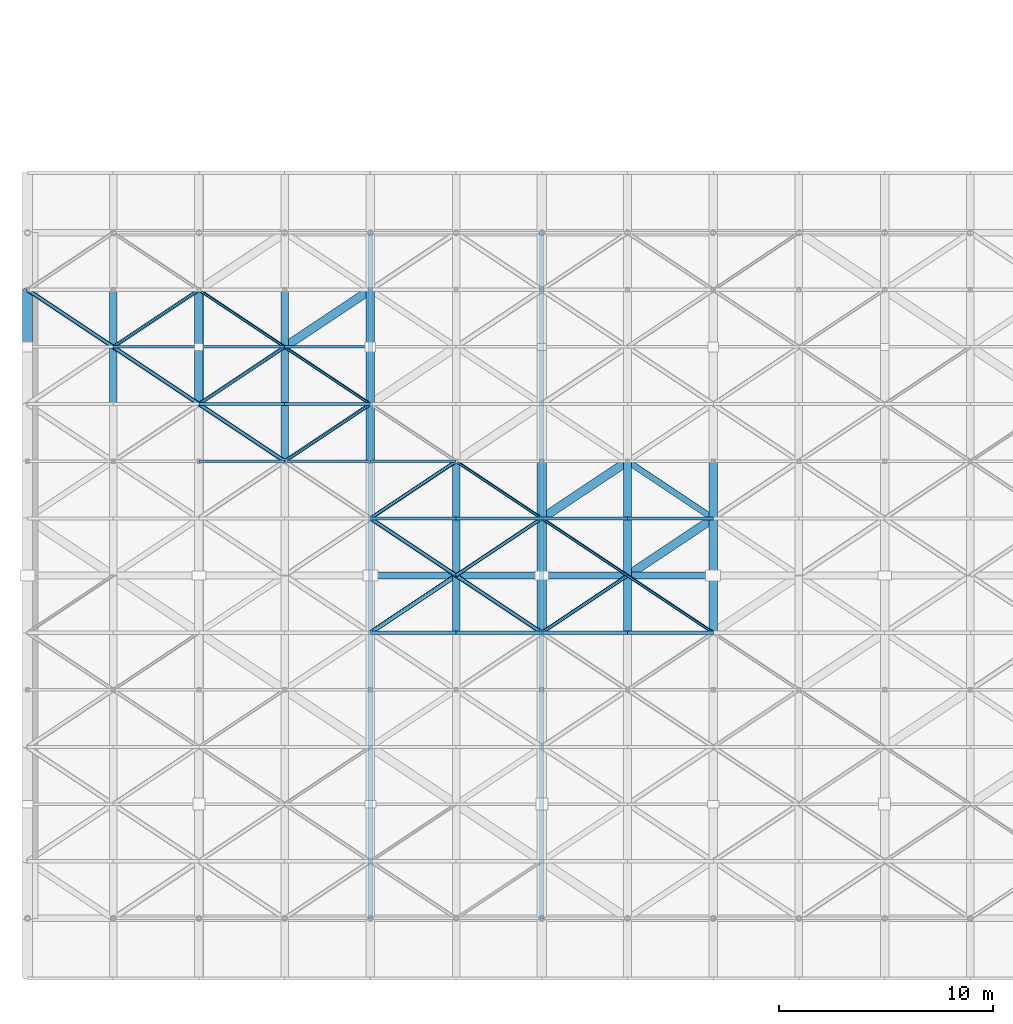
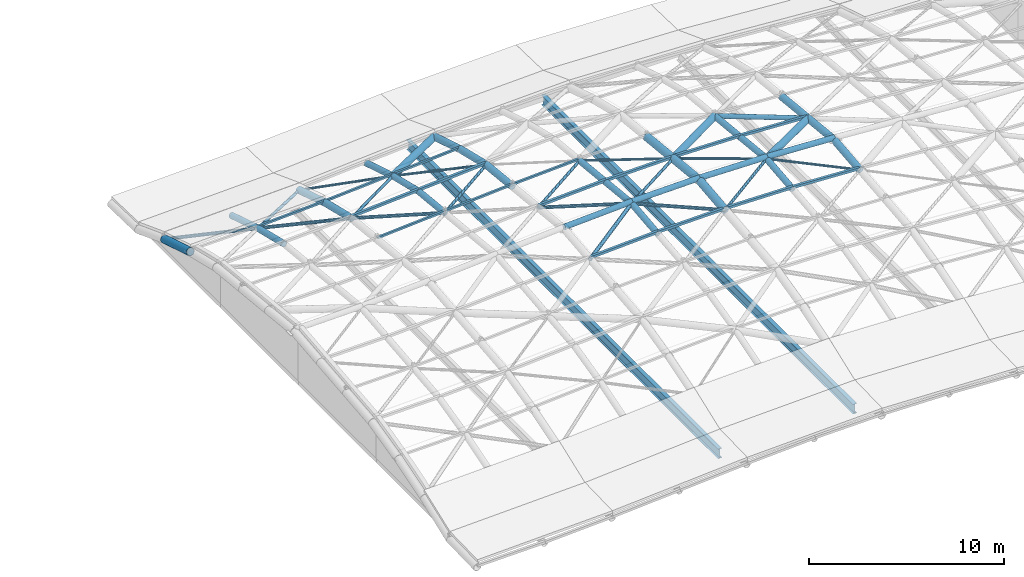
# One storey, part 4 of 20: 41 members, 25 beams.
"""IFC4 building model written with IfcOpenShell, lengths in metres."""

from ifc_helpers import new_model, si_unit, direction, frame, origin, origin_2d, place, context, subcontext, project, spatial, hollow_rectangle, hollow_circle, i_section, extrude, material, material_profile, profile_set, type_object, element, save


model = new_model("IFC4")

# Units and contexts
model_context = context("Model", 3, precision=1e-05, world=origin(), true_north=direction((0.0, 1.0)))
body_context = subcontext(model_context, "Body", "Model", "MODEL_VIEW")
ifc_project = project(units=[si_unit("LENGTHUNIT", "METRE"), si_unit("AREAUNIT", "SQUARE_METRE"), si_unit("VOLUMEUNIT", "CUBIC_METRE"), si_unit("PLANEANGLEUNIT", "RADIAN"), si_unit("MASSUNIT", "GRAM", prefix="KILO")], contexts=[model_context])

# Site, building, storey
site_placement = place(None, origin())
site = spatial("IfcSite", under=ifc_project, at=site_placement, CompositionType="ELEMENT")
building_placement = place(site_placement, origin())
building = spatial("IfcBuilding", under=site, at=building_placement, Name="Tenunan Teduh Sports Hall", CompositionType="ELEMENT")
storey_placement = place(building_placement, frame((0.0, 0.0, 23.39990234375)))
storey = spatial("IfcBuildingStorey", under=building, at=storey_placement, Name="RF", CompositionType="ELEMENT", Elevation=23.39990234375)

# Beams
ifc_material_1 = material(Name="Steel S355", Category="steel")
ifc_material_profile_1 = material_profile(ifc_material_1, hollow_circle(Radius=0.177734375, WallThickness=0.012451171875, at=origin_2d()), Name="CHS 355.6x12.5")
ifc_profile_set_1 = profile_set([ifc_material_profile_1], Name="Steel S355")
beam_type_1 = type_object("IfcBeamType", Name="GSB-CHS356", PredefinedType="BEAM", material=ifc_profile_set_1)
beam_1_placement = place(storey_placement, frame((10.0, 38.0, 2.1708984375), z_axis=(0.0, 0.972012875749, -0.234927583263), x_axis=(-1.0, 0.0, 0.0)))
element("IfcBeam", 1, at=beam_1_placement, inside=storey, type_object=beam_type_1, Name="Gridshell Vault Arch BM-GR-04-RF-0291", PredefinedType="BEAM", context=body_context, shape_type="SweptSolid", body=[
    extrude(hollow_circle(Radius=0.177734375, WallThickness=0.012451171875, at=origin_2d()), origin(), (0.0, 0.0, 1.0), 2.74365234375),
])
beam_2_placement = place(storey_placement, frame((10.0, 40.666748046875, 1.5263671875), z_axis=(0.0, 0.955399948598, -0.295314981365), x_axis=(-1.0, 0.0, 0.0)))
element("IfcBeam", 2, at=beam_2_placement, inside=storey, type_object=beam_type_1, Name="Gridshell Vault Arch BM-GR-04-RF-0292", PredefinedType="BEAM", context=body_context, shape_type="SweptSolid", body=[
    extrude(hollow_circle(Radius=0.177734375, WallThickness=0.012451171875, at=origin_2d()), origin(), (0.0, 0.0, 1.0), 2.791015625),
])
beam_3_placement = place(storey_placement, frame((18.0, 35.333251953125, 2.9208984375), z_axis=(0.0, 0.994784282387, -0.102001134878), x_axis=(-1.0, 0.0, 0.0)))
element("IfcBeam", 3, at=beam_3_placement, inside=storey, type_object=beam_type_1, Name="Gridshell Vault Arch BM-GR-04-RF-0318", PredefinedType="BEAM", context=body_context, shape_type="SweptSolid", body=[
    extrude(hollow_circle(Radius=0.177734375, WallThickness=0.012451171875, at=origin_2d()), origin(), (0.0, 0.0, 1.0), 2.6806640625),
])
beam_4_placement = place(storey_placement, frame((18.0, 38.0, 2.6474609375), z_axis=(0.0, 0.972012875749, -0.234927583263), x_axis=(-1.0, 0.0, 0.0)))
element("IfcBeam", 4, at=beam_4_placement, inside=storey, type_object=beam_type_1, Name="Gridshell Vault Arch BM-GR-04-RF-0319", PredefinedType="BEAM", context=body_context, shape_type="SweptSolid", body=[
    extrude(hollow_circle(Radius=0.177734375, WallThickness=0.012451171875, at=origin_2d()), origin(), (0.0, 0.0, 1.0), 2.74365234375),
])
beam_5_placement = place(storey_placement, frame((18.0, 40.666748046875, 2.0029296875), z_axis=(0.0, 0.955399948598, -0.295314981365), x_axis=(-1.0, 0.0, 0.0)))
element("IfcBeam", 5, at=beam_5_placement, inside=storey, type_object=beam_type_1, Name="Gridshell Vault Arch BM-GR-04-RF-0320", PredefinedType="BEAM", context=body_context, shape_type="SweptSolid", body=[
    extrude(hollow_circle(Radius=0.177734375, WallThickness=0.012451171875, at=origin_2d()), origin(), (0.0, 0.0, 1.0), 2.791015625),
])
for number, where, z_axis, x_axis, name in (
    (6, (26.0, 27.333251953125, 3.6708984375), (0.0, 0.994635403039, 0.103442810387), (-1.0, 0.0, 0.0), "Gridshell Vault Arch BM-GR-04-RF-0343"),
    (7, (26.0, 30.0, 3.9482421875), (0.0, 0.994635403039, -0.103442810387), (-1.0, 0.0, 0.0), "Gridshell Vault Arch BM-GR-04-RF-0344"),
):
    element("IfcBeam", number, at=place(storey_placement, frame(where, z_axis=z_axis, x_axis=x_axis)), inside=storey, type_object=beam_type_1, Name=name, PredefinedType="BEAM", context=body_context, shape_type="SweptSolid", body=[
        extrude(hollow_circle(Radius=0.177734375, WallThickness=0.012451171875, at=origin_2d()), origin(), (0.0, 0.0, 1.0), 2.68115234375),
    ])
beam_6_placement = place(storey_placement, frame((26.0, 32.666748046875, 3.6708984375), z_axis=(0.0, 0.994783334719, -0.102010376752), x_axis=(-1.0, 0.0, 0.0)))
element("IfcBeam", 8, at=beam_6_placement, inside=storey, type_object=beam_type_1, Name="Gridshell Vault Arch BM-GR-04-RF-0345", PredefinedType="BEAM", context=body_context, shape_type="SweptSolid", body=[
    extrude(hollow_circle(Radius=0.177734375, WallThickness=0.012451171875, at=origin_2d()), origin(), (0.0, 0.0, 1.0), 2.680419921875),
])
for number, where, z_axis, x_axis, name in (
    (9, (34.0, 27.333251953125, 3.6708984375), (0.0, 0.994635403039, 0.103442810387), (-1.0, 0.0, 0.0), "Gridshell Vault Arch BM-GR-04-RF-0371"),
    (10, (34.0, 30.0, 3.9482421875), (0.0, 0.994635403039, -0.103442810387), (-1.0, 0.0, 0.0), "Gridshell Vault Arch BM-GR-04-RF-0372"),
):
    element("IfcBeam", number, at=place(storey_placement, frame(where, z_axis=z_axis, x_axis=x_axis)), inside=storey, type_object=beam_type_1, Name=name, PredefinedType="BEAM", context=body_context, shape_type="SweptSolid", body=[
        extrude(hollow_circle(Radius=0.177734375, WallThickness=0.012451171875, at=origin_2d()), origin(), (0.0, 0.0, 1.0), 2.68115234375),
    ])
beam_7_placement = place(storey_placement, frame((34.0, 32.666748046875, 3.6708984375), z_axis=(0.0, 0.994783334719, -0.102010376752), x_axis=(-1.0, 0.0, 0.0)))
element("IfcBeam", 11, at=beam_7_placement, inside=storey, type_object=beam_type_1, Name="Gridshell Vault Arch BM-GR-04-RF-0373", PredefinedType="BEAM", context=body_context, shape_type="SweptSolid", body=[
    extrude(hollow_circle(Radius=0.177734375, WallThickness=0.012451171875, at=origin_2d()), origin(), (0.0, 0.0, 1.0), 2.680419921875),
])
ifc_material_2 = material(Name="Steel S355", Category="steel")
ifc_material_profile_2 = material_profile(ifc_material_2, hollow_circle(Radius=0.203125, WallThickness=0.01611328125, at=origin_2d()), Name="CHS 406.4x16.0")
ifc_profile_set_2 = profile_set([ifc_material_profile_2], Name="Steel S355")
beam_type_2 = type_object("IfcBeamType", Name="GSB-CHS406", PredefinedType="BEAM", material=ifc_profile_set_2)
beam_8_placement = place(storey_placement, frame((14.0, 38.0, 2.3701171875), z_axis=(0.0, 0.972012875749, -0.234927583263), x_axis=(-1.0, 0.0, 0.0)))
element("IfcBeam", 12, at=beam_8_placement, inside=storey, type_object=beam_type_2, Name="Gridshell Vault Arch BM-GA-02-RF-0305", PredefinedType="BEAM", context=body_context, shape_type="SweptSolid", body=[
    extrude(hollow_circle(Radius=0.203125, WallThickness=0.01611328125, at=origin_2d()), origin(), (0.0, 0.0, 1.0), 2.74365234375),
])
beam_9_placement = place(storey_placement, frame((14.0, 40.666748046875, 1.7255859375), z_axis=(0.0, 0.955399948598, -0.295314981365), x_axis=(-1.0, 0.0, 0.0)))
element("IfcBeam", 13, at=beam_9_placement, inside=storey, type_object=beam_type_2, Name="Gridshell Vault Arch BM-GA-02-RF-0306", PredefinedType="BEAM", context=body_context, shape_type="SweptSolid", body=[
    extrude(hollow_circle(Radius=0.203125, WallThickness=0.01611328125, at=origin_2d()), origin(), (0.0, 0.0, 1.0), 2.791015625),
])
beam_10_placement = place(storey_placement, frame((22.0, 35.333251953125, 3.1943359375), z_axis=(0.0, 0.994784282387, -0.102001134878), x_axis=(-1.0, 0.0, 0.0)))
element("IfcBeam", 14, at=beam_10_placement, inside=storey, type_object=beam_type_2, Name="Gridshell Vault Arch BM-GA-02-RF-0332", PredefinedType="BEAM", context=body_context, shape_type="SweptSolid", body=[
    extrude(hollow_circle(Radius=0.203125, WallThickness=0.01611328125, at=origin_2d()), origin(), (0.0, 0.0, 1.0), 2.6806640625),
])
beam_11_placement = place(storey_placement, frame((22.0, 38.0, 2.9208984375), z_axis=(0.0, 0.972012875749, -0.234927583263), x_axis=(-1.0, 0.0, 0.0)))
element("IfcBeam", 15, at=beam_11_placement, inside=storey, type_object=beam_type_2, Name="Gridshell Vault Arch BM-GA-02-RF-0333", PredefinedType="BEAM", context=body_context, shape_type="SweptSolid", body=[
    extrude(hollow_circle(Radius=0.203125, WallThickness=0.01611328125, at=origin_2d()), origin(), (0.0, 0.0, 1.0), 2.74365234375),
])
beam_12_placement = place(storey_placement, frame((22.0, 40.666748046875, 2.2763671875), z_axis=(0.0, 0.955399948598, -0.295314981365), x_axis=(-1.0, 0.0, 0.0)))
element("IfcBeam", 16, at=beam_12_placement, inside=storey, type_object=beam_type_2, Name="Gridshell Vault Arch BM-GA-02-RF-0334", PredefinedType="BEAM", context=body_context, shape_type="SweptSolid", body=[
    extrude(hollow_circle(Radius=0.203125, WallThickness=0.01611328125, at=origin_2d()), origin(), (0.0, 0.0, 1.0), 2.791015625),
])
for number, where, z_axis, x_axis, name in (
    (17, (38.0, 27.333251953125, 3.4677734375), (0.0, 0.994635403039, 0.103442810387), (-1.0, 0.0, 0.0), "Gridshell Vault Arch BM-GA-02-RF-0385"),
    (18, (38.0, 30.0, 3.7451171875), (0.0, 0.994635403039, -0.103442810387), (-1.0, 0.0, 0.0), "Gridshell Vault Arch BM-GA-02-RF-0386"),
):
    element("IfcBeam", number, at=place(storey_placement, frame(where, z_axis=z_axis, x_axis=x_axis)), inside=storey, type_object=beam_type_2, Name=name, PredefinedType="BEAM", context=body_context, shape_type="SweptSolid", body=[
        extrude(hollow_circle(Radius=0.203125, WallThickness=0.01611328125, at=origin_2d()), origin(), (0.0, 0.0, 1.0), 2.68115234375),
    ])
beam_13_placement = place(storey_placement, frame((38.0, 32.666748046875, 3.4677734375), z_axis=(0.0, 0.994783334719, -0.102010376752), x_axis=(-1.0, 0.0, 0.0)))
element("IfcBeam", 19, at=beam_13_placement, inside=storey, type_object=beam_type_2, Name="Gridshell Vault Arch BM-GA-02-RF-0387", PredefinedType="BEAM", context=body_context, shape_type="SweptSolid", body=[
    extrude(hollow_circle(Radius=0.203125, WallThickness=0.01611328125, at=origin_2d()), origin(), (0.0, 0.0, 1.0), 2.680419921875),
])
ifc_material_3 = material(Name="Steel S355", Category="steel")
ifc_material_profile_3 = material_profile(ifc_material_3, hollow_circle(Radius=0.228515625, WallThickness=0.01611328125, at=origin_2d()), Name="CHS 457.0x16.0")
ifc_profile_set_3 = profile_set([ifc_material_profile_3], Name="Steel S355")
beam_type_3 = type_object("IfcBeamType", Name="GSB-CHS457", PredefinedType="BEAM", material=ifc_profile_set_3)
beam_14_placement = place(storey_placement, frame((6.0, 40.666748046875, 1.4521484375), z_axis=(0.0, 0.955399948598, -0.295314981365), x_axis=(-1.0, 0.0, 0.0)))
element("IfcBeam", 20, at=beam_14_placement, inside=storey, type_object=beam_type_3, Name="Gridshell Vault Arch BM-GA-01-RF-0278", PredefinedType="BEAM", context=body_context, shape_type="SweptSolid", body=[
    extrude(hollow_circle(Radius=0.228515625, WallThickness=0.01611328125, at=origin_2d()), origin(), (0.0, 0.0, 1.0), 2.791015625),
])
for number, where, z_axis, x_axis, name in (
    (21, (30.0, 27.333251953125, 3.7451171875), (0.0, 0.994635403039, 0.103442810387), (-1.0, 0.0, 0.0), "Gridshell Vault Arch BM-GA-01-RF-0357"),
    (22, (30.0, 30.0, 4.0224609375), (0.0, 0.994635403039, -0.103442810387), (-1.0, 0.0, 0.0), "Gridshell Vault Arch BM-GA-01-RF-0358"),
):
    element("IfcBeam", number, at=place(storey_placement, frame(where, z_axis=z_axis, x_axis=x_axis)), inside=storey, type_object=beam_type_3, Name=name, PredefinedType="BEAM", context=body_context, shape_type="SweptSolid", body=[
        extrude(hollow_circle(Radius=0.228515625, WallThickness=0.01611328125, at=origin_2d()), origin(), (0.0, 0.0, 1.0), 2.68115234375),
    ])
beam_15_placement = place(storey_placement, frame((30.0, 32.666748046875, 3.7451171875), z_axis=(0.0, 0.994783334719, -0.102010376752), x_axis=(-1.0, 0.0, 0.0)))
element("IfcBeam", 23, at=beam_15_placement, inside=storey, type_object=beam_type_3, Name="Gridshell Vault Arch BM-GA-01-RF-0359", PredefinedType="BEAM", context=body_context, shape_type="SweptSolid", body=[
    extrude(hollow_circle(Radius=0.228515625, WallThickness=0.01611328125, at=origin_2d()), origin(), (0.0, 0.0, 1.0), 2.680419921875),
])

# Members
ifc_material_4 = material(Name="Steel S355", Category="steel")
ifc_material_profile_4 = material_profile(ifc_material_4, hollow_circle(Radius=0.06982421875, WallThickness=0.00634765625, at=origin_2d()), Name="CHS 139.7x6.3")
ifc_profile_set_4 = profile_set([ifc_material_profile_4], Name="Steel S355")
member_type_1 = type_object("IfcMemberType", Name="MEM-BR-CHS140", PredefinedType="BRACE", material=ifc_profile_set_4)
member_1_placement = place(storey_placement, frame((14.0, 43.333251953125, 0.9013671875), z_axis=(0.811045695554, -0.540664128836, 0.223354381002), x_axis=(0.554676756648, 0.832065920246, 0.0)))
element("IfcMember", 24, at=member_1_placement, inside=storey, type_object=member_type_1, Name="MEM-GD-05-RF-0589", PredefinedType="BRACE", context=body_context, shape_type="SweptSolid", body=[
    extrude(hollow_circle(Radius=0.06982421875, WallThickness=0.00634765625, at=origin_2d()), origin(), (0.0, 0.0, 1.0), 4.931884765625),
])
member_2_placement = place(storey_placement, frame((18.0, 40.666748046875, 2.0029296875), z_axis=(0.817276570763, -0.54486767471, 0.187558588017), x_axis=(0.554711915519, 0.832042481356, 0.0)))
element("IfcMember", 25, at=member_2_placement, inside=storey, type_object=member_type_1, Name="MEM-GD-05-RF-0615", PredefinedType="BRACE", context=body_context, shape_type="SweptSolid", body=[
    extrude(hollow_circle(Radius=0.06982421875, WallThickness=0.00634765625, at=origin_2d()), origin(), (0.0, 0.0, 1.0), 4.894287109375),
])
member_3_placement = place(storey_placement, frame((26.0, 35.333251953125, 3.3974609375), z_axis=(0.829898596039, -0.553231962032, 0.072129858445), x_axis=(0.554676756648, 0.832065920246, 0.0)))
element("IfcMember", 26, at=member_3_placement, inside=storey, type_object=member_type_1, Name="MEM-GD-05-RF-0667", PredefinedType="BRACE", context=body_context, shape_type="SweptSolid", body=[
    extrude(hollow_circle(Radius=0.06982421875, WallThickness=0.00634765625, at=origin_2d()), origin(), (0.0, 0.0, 1.0), 4.81982421875),
])
member_4_placement = place(storey_placement, frame((30.0, 32.666748046875, 3.7451171875), z_axis=(0.831300774551, -0.554217429225, 0.042214492458), x_axis=(0.554711915519, 0.832042481356, 0.0)))
element("IfcMember", 27, at=member_4_placement, inside=storey, type_object=member_type_1, Name="MEM-GD-05-RF-0693", PredefinedType="BRACE", context=body_context, shape_type="SweptSolid", body=[
    extrude(hollow_circle(Radius=0.06982421875, WallThickness=0.00634765625, at=origin_2d()), origin(), (0.0, 0.0, 1.0), 4.811767578125),
])
member_5_placement = place(storey_placement, frame((34.0, 30.0, 3.9482421875), z_axis=(0.82791791642, -0.551962121646, -0.099447171601), x_axis=(0.554711915519, 0.832042481356, 0.0)))
element("IfcMember", 28, at=member_5_placement, inside=storey, type_object=member_type_1, Name="MEM-GD-05-RF-0719", PredefinedType="BRACE", context=body_context, shape_type="SweptSolid", body=[
    extrude(hollow_circle(Radius=0.06982421875, WallThickness=0.00634765625, at=origin_2d()), origin(), (0.0, 0.0, 1.0), 4.831298828125),
])
ifc_material_5 = material(Name="Steel S355", Category="steel")
ifc_material_profile_5 = material_profile(ifc_material_5, hollow_circle(Radius=0.084228515625, WallThickness=0.008056640625, at=origin_2d()), Name="CHS 168.3x8.0")
ifc_profile_set_5 = profile_set([ifc_material_profile_5], Name="Steel S355")
member_type_2 = type_object("IfcMemberType", Name="MEM-BR-CHS168", PredefinedType="BRACE", material=ifc_profile_set_5)
member_6_placement = place(storey_placement, frame((10.0, 40.666748046875, 1.5263671875), z_axis=(0.825121757289, 0.550047597235, -0.128925274576), x_axis=(-0.554676756648, 0.832065920246, 0.0)))
element("IfcMember", 29, at=member_6_placement, inside=storey, type_object=member_type_2, Name="MEM-GD-04-RF-0562", PredefinedType="BRACE", context=body_context, shape_type="SweptSolid", body=[
    extrude(hollow_circle(Radius=0.084228515625, WallThickness=0.008056640625, at=origin_2d()), origin(), (0.0, 0.0, 1.0), 4.84765625),
])
member_7_placement = place(storey_placement, frame((14.0, 38.0, 2.3701171875), z_axis=(0.829626090454, 0.553100939088, -0.076157082522), x_axis=(-0.554711915519, 0.832042481356, 0.0)))
element("IfcMember", 30, at=member_7_placement, inside=storey, type_object=member_type_2, Name="MEM-GD-04-RF-0588", PredefinedType="BRACE", context=body_context, shape_type="SweptSolid", body=[
    extrude(hollow_circle(Radius=0.084228515625, WallThickness=0.008056640625, at=origin_2d()), origin(), (0.0, 0.0, 1.0), 4.821533203125),
])
member_8_placement = place(storey_placement, frame((18.0, 35.333251953125, 2.9208984375), z_axis=(0.832042481356, 0.554711915519, 0.0), x_axis=(-0.554711915519, 0.832042481356, 0.0)))
element("IfcMember", 31, at=member_8_placement, inside=storey, type_object=member_type_2, Name="MEM-GD-04-RF-0614", PredefinedType="BRACE", context=body_context, shape_type="SweptSolid", body=[
    extrude(hollow_circle(Radius=0.084228515625, WallThickness=0.008056640625, at=origin_2d()), origin(), (0.0, 0.0, 1.0), 4.807373046875),
])
member_9_placement = place(storey_placement, frame((22.0, 32.666748046875, 3.4677734375), z_axis=(0.831976934871, 0.554617436686, -0.014624594558), x_axis=(-0.554676756648, 0.832065920246, 0.0)))
element("IfcMember", 32, at=member_9_placement, inside=storey, type_object=member_type_2, Name="MEM-GD-04-RF-0640", PredefinedType="BRACE", context=body_context, shape_type="SweptSolid", body=[
    extrude(hollow_circle(Radius=0.084228515625, WallThickness=0.008056640625, at=origin_2d()), origin(), (0.0, 0.0, 1.0), 4.807861328125),
])
for number, where, z_axis, x_axis, name in (
    (33, (26.0, 30.0, 3.9482421875), (0.831300774551, 0.554217429225, -0.042214492458), (-0.554711915519, 0.832042481356, 0.0), "MEM-GD-04-RF-0666"),
    (34, (30.0, 27.333251953125, 3.7451171875), (0.831300774551, 0.554217429225, 0.042214492458), (-0.554711915519, 0.832042481356, 0.0), "MEM-GD-04-RF-0692"),
):
    element("IfcMember", number, at=place(storey_placement, frame(where, z_axis=z_axis, x_axis=x_axis)), inside=storey, type_object=member_type_2, Name=name, PredefinedType="BRACE", context=body_context, shape_type="SweptSolid", body=[
        extrude(hollow_circle(Radius=0.084228515625, WallThickness=0.008056640625, at=origin_2d()), origin(), (0.0, 0.0, 1.0), 4.811767578125),
    ])
ifc_material_6 = material(Name="Steel S355", Category="steel")
ifc_material_profile_6 = material_profile(ifc_material_6, hollow_circle(Radius=0.096923828125, WallThickness=0.008056640625, at=origin_2d()), Name="CHS 193.7x8.0")
ifc_profile_set_6 = profile_set([ifc_material_profile_6], Name="Steel S355")
member_type_3 = type_object("IfcMemberType", Name="MEM-BR-CHS194", PredefinedType="BRACE", material=ifc_profile_set_6)
member_10_placement = place(storey_placement, frame((6.0, 43.333251953125, 0.6279296875), z_axis=(0.817904708039, -0.545236524731, 0.183709065282), x_axis=(0.554676756648, 0.832065920246, 0.0)))
element("IfcMember", 35, at=member_10_placement, inside=storey, type_object=member_type_3, Name="MEM-GD-03-RF-0535", PredefinedType="BRACE", context=body_context, shape_type="SweptSolid", body=[
    extrude(hollow_circle(Radius=0.096923828125, WallThickness=0.008056640625, at=origin_2d()), origin(), (0.0, 0.0, 1.0), 4.890625),
])
member_11_placement = place(storey_placement, frame((10.0, 40.666748046875, 1.5263671875), z_axis=(0.819516270357, -0.546360853339, 0.172866713278), x_axis=(0.554711915519, 0.832042481356, 0.0)))
element("IfcMember", 36, at=member_11_placement, inside=storey, type_object=member_type_3, Name="MEM-GD-03-RF-0561", PredefinedType="BRACE", context=body_context, shape_type="SweptSolid", body=[
    extrude(hollow_circle(Radius=0.096923828125, WallThickness=0.008056640625, at=origin_2d()), origin(), (0.0, 0.0, 1.0), 4.880859375),
])
member_12_placement = place(storey_placement, frame((14.0, 38.0, 2.3701171875), z_axis=(0.826635001077, -0.55110681865, 0.113823764797), x_axis=(0.554711915519, 0.832042481356, 0.0)))
element("IfcMember", 37, at=member_12_placement, inside=storey, type_object=member_type_3, Name="MEM-GD-03-RF-0587", PredefinedType="BRACE", context=body_context, shape_type="SweptSolid", body=[
    extrude(hollow_circle(Radius=0.096923828125, WallThickness=0.008056640625, at=origin_2d()), origin(), (0.0, 0.0, 1.0), 4.8388671875),
])
member_13_placement = place(storey_placement, frame((22.0, 32.666748046875, 3.4677734375), z_axis=(0.82791791642, -0.551962121646, 0.099447171601), x_axis=(0.554711915519, 0.832042481356, 0.0)))
element("IfcMember", 38, at=member_13_placement, inside=storey, type_object=member_type_3, Name="MEM-GD-03-RF-0639", PredefinedType="BRACE", context=body_context, shape_type="SweptSolid", body=[
    extrude(hollow_circle(Radius=0.096923828125, WallThickness=0.008056640625, at=origin_2d()), origin(), (0.0, 0.0, 1.0), 4.831298828125),
])
member_14_placement = place(storey_placement, frame((26.0, 30.0, 3.9482421875), z_axis=(0.831300774551, -0.554217429225, -0.042214492458), x_axis=(0.554711915519, 0.832042481356, 0.0)))
element("IfcMember", 39, at=member_14_placement, inside=storey, type_object=member_type_3, Name="MEM-GD-03-RF-0665", PredefinedType="BRACE", context=body_context, shape_type="SweptSolid", body=[
    extrude(hollow_circle(Radius=0.096923828125, WallThickness=0.008056640625, at=origin_2d()), origin(), (0.0, 0.0, 1.0), 4.811767578125),
])
ifc_material_7 = material(Name="Steel S355", Category="steel")
ifc_material_profile_7 = material_profile(ifc_material_7, hollow_circle(Radius=0.109619140625, WallThickness=0.010009765625, at=origin_2d()), Name="CHS 219.1x10.0")
ifc_profile_set_7 = profile_set([ifc_material_profile_7], Name="Steel S355")
member_type_4 = type_object("IfcMemberType", Name="MEM-BR-CHS219", PredefinedType="BRACE", material=ifc_profile_set_7)
member_15_placement = place(storey_placement, frame((22.0, 27.333251953125, 3.4677734375), z_axis=(0.82791791642, 0.551962121646, 0.099447171601), x_axis=(-0.554711915519, 0.832042481356, 0.0)))
element("IfcMember", 40, at=member_15_placement, inside=storey, type_object=member_type_4, Name="MEM-GD-02-RF-0638", PredefinedType="BRACE", context=body_context, shape_type="SweptSolid", body=[
    extrude(hollow_circle(Radius=0.109619140625, WallThickness=0.010009765625, at=origin_2d()), origin(), (0.0, 0.0, 1.0), 4.831298828125),
])
ifc_material_8 = material(Name="Steel S355", Category="steel")
ifc_material_profile_8 = material_profile(ifc_material_8, hollow_circle(Radius=0.136474609375, WallThickness=0.010009765625, at=origin_2d()), Name="CHS 273.0x10.0")
ifc_profile_set_8 = profile_set([ifc_material_profile_8], Name="Steel S355")
member_type_5 = type_object("IfcMemberType", Name="MEM-CH-CHS273", PredefinedType="CHORD", material=ifc_profile_set_8)
member_16_placement = place(storey_placement, frame((34.0, 35.333251953125, 3.3974609375), z_axis=(0.831976934871, -0.554617436686, 0.014624594558), x_axis=(0.554676756648, 0.832065920246, 0.0)))
element("IfcMember", 41, at=member_16_placement, inside=storey, type_object=member_type_5, Name="MEM-GC-03-RF-0721", PredefinedType="CHORD", context=body_context, shape_type="SweptSolid", body=[
    extrude(hollow_circle(Radius=0.136474609375, WallThickness=0.010009765625, at=origin_2d()), origin(), (0.0, 0.0, 1.0), 4.807861328125),
])
ifc_material_9 = material(Name="Steel S355", Category="steel")
ifc_material_profile_9 = material_profile(ifc_material_9, hollow_circle(Radius=0.161865234375, WallThickness=0.012451171875, at=origin_2d()), Name="CHS 323.9x12.5")
ifc_profile_set_9 = profile_set([ifc_material_profile_9], Name="Steel S355")
member_type_6 = type_object("IfcMemberType", Name="MEM-CH-CHS324", PredefinedType="CHORD", material=ifc_profile_set_9)
member_17_placement = place(storey_placement, frame((22.0, 30.0, 3.864990234375), z_axis=(0.998713120681, 0.0, 0.05071590066), x_axis=(0.0, 1.0, 0.0)))
element("IfcMember", 42, at=member_17_placement, inside=storey, type_object=member_type_6, Name="MEM-GC-02-RF-0625", PredefinedType="CHORD", context=body_context, shape_type="SweptSolid", body=[
    extrude(hollow_circle(Radius=0.161865234375, WallThickness=0.012451171875, at=origin_2d()), origin(), (0.0, 0.0, 1.0), 4.005126953125),
])
for number, where, z_axis, x_axis, name in (
    (43, (26.0, 30.0, 4.068115234375), (0.99982790622, 0.0, 0.018551494354), (0.0, 1.0, 0.0), "MEM-GC-02-RF-0652"),
    (44, (30.0, 30.0, 4.142333984375), (0.99982790622, 0.0, -0.018551494354), (0.0, 1.0, 0.0), "MEM-GC-02-RF-0679"),
):
    element("IfcMember", number, at=place(storey_placement, frame(where, z_axis=z_axis, x_axis=x_axis)), inside=storey, type_object=member_type_6, Name=name, PredefinedType="CHORD", context=body_context, shape_type="SweptSolid", body=[
        extrude(hollow_circle(Radius=0.161865234375, WallThickness=0.012451171875, at=origin_2d()), origin(), (0.0, 0.0, 1.0), 4.000732421875),
    ])
member_18_placement = place(storey_placement, frame((34.0, 30.0, 4.068115234375), z_axis=(0.998713120681, 0.0, -0.05071590066), x_axis=(0.0, 1.0, 0.0)))
element("IfcMember", 45, at=member_18_placement, inside=storey, type_object=member_type_6, Name="MEM-GC-02-RF-0706", PredefinedType="CHORD", context=body_context, shape_type="SweptSolid", body=[
    extrude(hollow_circle(Radius=0.161865234375, WallThickness=0.012451171875, at=origin_2d()), origin(), (0.0, 0.0, 1.0), 4.005126953125),
])
ifc_material_10 = material(Name="Steel S355", Category="steel")
ifc_material_profile_10 = material_profile(ifc_material_10, hollow_circle(Radius=0.203125, WallThickness=0.012451171875, at=origin_2d()), Name="CHS 406.4x12.5")
ifc_profile_set_10 = profile_set([ifc_material_profile_10], Name="Steel S355")
member_type_7 = type_object("IfcMemberType", Name="MEM-CH-CHS406L", PredefinedType="CHORD", material=ifc_profile_set_10)
member_19_placement = place(storey_placement, frame((18.0, 40.666748046875, 2.0029296875), z_axis=(0.826657985926, 0.551071687151, -0.113826929703), x_axis=(-0.554676756648, 0.832065920246, 0.0)))
element("IfcMember", 46, at=member_19_placement, inside=storey, type_object=member_type_7, Name="MEM-GC-01-RF-0616", PredefinedType="CHORD", context=body_context, shape_type="SweptSolid", body=[
    extrude(hollow_circle(Radius=0.203125, WallThickness=0.012451171875, at=origin_2d()), origin(), (0.0, 0.0, 1.0), 4.8388671875),
])
member_20_placement = place(storey_placement, frame((30.0, 32.666748046875, 3.7451171875), z_axis=(0.829898596039, 0.553231962032, -0.072129858445), x_axis=(-0.554676756648, 0.832065920246, 0.0)))
element("IfcMember", 47, at=member_20_placement, inside=storey, type_object=member_type_7, Name="MEM-GC-01-RF-0694", PredefinedType="CHORD", context=body_context, shape_type="SweptSolid", body=[
    extrude(hollow_circle(Radius=0.203125, WallThickness=0.012451171875, at=origin_2d()), origin(), (0.0, 0.0, 1.0), 4.81982421875),
])
member_21_placement = place(storey_placement, frame((34.0, 30.0, 3.9482421875), z_axis=(0.82791791642, 0.551962121646, -0.099447171601), x_axis=(-0.554711915519, 0.832042481356, 0.0)))
element("IfcMember", 48, at=member_21_placement, inside=storey, type_object=member_type_7, Name="MEM-GC-01-RF-0720", PredefinedType="CHORD", context=body_context, shape_type="SweptSolid", body=[
    extrude(hollow_circle(Radius=0.203125, WallThickness=0.012451171875, at=origin_2d()), origin(), (0.0, 0.0, 1.0), 4.831298828125),
])
ifc_material_11 = material(Name="Steel S355", Category="steel")
ifc_material_profile_11 = material_profile(ifc_material_11, hollow_rectangle(XDim=0.1201171875, YDim=0.1201171875, WallThickness=0.00634765625, at=origin_2d()), Name="SHS 120x120x6.3")
ifc_profile_set_11 = profile_set([ifc_material_profile_11], Name="Steel S355")
member_type_8 = type_object("IfcMemberType", Name="MEM-PR-SHS120", PredefinedType="PURLIN", material=ifc_profile_set_11)
member_22_placement = place(storey_placement, frame((10.0, 40.666748046875, 1.646240234375), z_axis=(0.998762049135, 0.0, 0.049743031744), x_axis=(0.0, 1.0, 0.0)))
element("IfcMember", 49, at=member_22_placement, inside=storey, type_object=member_type_8, Name="MEM-PR-02-RF-0548", PredefinedType="PURLIN", context=body_context, shape_type="SweptSolid", body=[
    extrude(hollow_rectangle(XDim=0.1201171875, YDim=0.1201171875, WallThickness=0.00634765625, at=origin_2d()), origin(), (0.0, 0.0, 1.0), 4.0048828125),
])
for number, where, z_axis, x_axis, name in (
    (50, (14.0, 35.333251953125, 2.763427734375), (0.99760489623, 0.0, 0.069169870735), (0.0, 1.0, 0.0), "MEM-PR-02-RF-0573"),
    (51, (14.0, 40.666748046875, 1.845458984375), (0.99760489623, 0.0, 0.069169870735), (0.0, 1.0, 0.0), "MEM-PR-02-RF-0575"),
):
    element("IfcMember", number, at=place(storey_placement, frame(where, z_axis=z_axis, x_axis=x_axis)), inside=storey, type_object=member_type_8, Name=name, PredefinedType="PURLIN", context=body_context, shape_type="SweptSolid", body=[
        extrude(hollow_rectangle(XDim=0.1201171875, YDim=0.1201171875, WallThickness=0.00634765625, at=origin_2d()), origin(), (0.0, 0.0, 1.0), 4.009521484375),
    ])
for number, where, z_axis, x_axis, name in (
    (52, (18.0, 35.333251953125, 3.040771484375), (0.997671655029, 0.0, 0.068200210793), (0.0, 1.0, 0.0), "MEM-PR-02-RF-0600"),
    (53, (18.0, 40.666748046875, 2.122802734375), (0.997671655029, 0.0, 0.068200210793), (0.0, 1.0, 0.0), "MEM-PR-02-RF-0602"),
):
    element("IfcMember", number, at=place(storey_placement, frame(where, z_axis=z_axis, x_axis=x_axis)), inside=storey, type_object=member_type_8, Name=name, PredefinedType="PURLIN", context=body_context, shape_type="SweptSolid", body=[
        extrude(hollow_rectangle(XDim=0.1201171875, YDim=0.1201171875, WallThickness=0.00634765625, at=origin_2d()), origin(), (0.0, 0.0, 1.0), 4.00927734375),
    ])
member_23_placement = place(storey_placement, frame((22.0, 35.333251953125, 3.314208984375), z_axis=(0.998713120681, 0.0, 0.05071590066), x_axis=(0.0, 1.0, 0.0)))
element("IfcMember", 54, at=member_23_placement, inside=storey, type_object=member_type_8, Name="MEM-PR-02-RF-0627", PredefinedType="PURLIN", context=body_context, shape_type="SweptSolid", body=[
    extrude(hollow_rectangle(XDim=0.1201171875, YDim=0.1201171875, WallThickness=0.00634765625, at=origin_2d()), origin(), (0.0, 0.0, 1.0), 4.005126953125),
])
ifc_material_12 = material(Name="Steel S355", Category="steel")
ifc_material_profile_12 = material_profile(ifc_material_12, hollow_rectangle(XDim=0.14990234375, YDim=0.14990234375, WallThickness=0.008056640625, at=origin_2d()), Name="SHS 150x150x8.0")
ifc_profile_set_12 = profile_set([ifc_material_profile_12], Name="Steel S355")
member_type_9 = type_object("IfcMemberType", Name="MEM-PR-SHS150", PredefinedType="PURLIN", material=ifc_profile_set_12)
member_24_placement = place(storey_placement, frame((14.0, 38.0, 2.489990234375), z_axis=(0.99760489623, 0.0, 0.069169870735), x_axis=(0.0, 1.0, 0.0)))
element("IfcMember", 55, at=member_24_placement, inside=storey, type_object=member_type_9, Name="MEM-PR-01-RF-0574", PredefinedType="PURLIN", context=body_context, shape_type="SweptSolid", body=[
    extrude(hollow_rectangle(XDim=0.14990234375, YDim=0.14990234375, WallThickness=0.008056640625, at=origin_2d()), origin(), (0.0, 0.0, 1.0), 4.009521484375),
])
member_25_placement = place(storey_placement, frame((18.0, 38.0, 2.767333984375), z_axis=(0.997671655029, 0.0, 0.068200210793), x_axis=(0.0, 1.0, 0.0)))
element("IfcMember", 56, at=member_25_placement, inside=storey, type_object=member_type_9, Name="MEM-PR-01-RF-0601", PredefinedType="PURLIN", context=body_context, shape_type="SweptSolid", body=[
    extrude(hollow_rectangle(XDim=0.14990234375, YDim=0.14990234375, WallThickness=0.008056640625, at=origin_2d()), origin(), (0.0, 0.0, 1.0), 4.00927734375),
])
for number, where, z_axis, x_axis, name in (
    (57, (22.0, 27.333251953125, 3.587646484375), (0.998713120681, 0.0, 0.05071590066), (0.0, 1.0, 0.0), "MEM-PR-01-RF-0624"),
    (58, (22.0, 32.666748046875, 3.587646484375), (0.998713120681, 0.0, 0.05071590066), (0.0, 1.0, 0.0), "MEM-PR-01-RF-0626"),
):
    element("IfcMember", number, at=place(storey_placement, frame(where, z_axis=z_axis, x_axis=x_axis)), inside=storey, type_object=member_type_9, Name=name, PredefinedType="PURLIN", context=body_context, shape_type="SweptSolid", body=[
        extrude(hollow_rectangle(XDim=0.14990234375, YDim=0.14990234375, WallThickness=0.008056640625, at=origin_2d()), origin(), (0.0, 0.0, 1.0), 4.005126953125),
    ])
for number, where, z_axis, x_axis, name in (
    (59, (26.0, 27.333251953125, 3.790771484375), (0.99982790622, 0.0, 0.018551494354), (0.0, 1.0, 0.0), "MEM-PR-01-RF-0651"),
    (60, (26.0, 32.666748046875, 3.790771484375), (0.99982790622, 0.0, 0.018551494354), (0.0, 1.0, 0.0), "MEM-PR-01-RF-0653"),
    (61, (30.0, 27.333251953125, 3.864990234375), (0.99982790622, 0.0, -0.018551494354), (0.0, 1.0, 0.0), "MEM-PR-01-RF-0678"),
    (62, (30.0, 32.666748046875, 3.864990234375), (0.99982790622, 0.0, -0.018551494354), (0.0, 1.0, 0.0), "MEM-PR-01-RF-0680"),
):
    element("IfcMember", number, at=place(storey_placement, frame(where, z_axis=z_axis, x_axis=x_axis)), inside=storey, type_object=member_type_9, Name=name, PredefinedType="PURLIN", context=body_context, shape_type="SweptSolid", body=[
        extrude(hollow_rectangle(XDim=0.14990234375, YDim=0.14990234375, WallThickness=0.008056640625, at=origin_2d()), origin(), (0.0, 0.0, 1.0), 4.000732421875),
    ])
for number, where, z_axis, x_axis, name in (
    (63, (34.0, 27.333251953125, 3.790771484375), (0.998713120681, 0.0, -0.05071590066), (0.0, 1.0, 0.0), "MEM-PR-01-RF-0705"),
    (64, (34.0, 32.666748046875, 3.790771484375), (0.998713120681, 0.0, -0.05071590066), (0.0, 1.0, 0.0), "MEM-PR-01-RF-0707"),
):
    element("IfcMember", number, at=place(storey_placement, frame(where, z_axis=z_axis, x_axis=x_axis)), inside=storey, type_object=member_type_9, Name=name, PredefinedType="PURLIN", context=body_context, shape_type="SweptSolid", body=[
        extrude(hollow_rectangle(XDim=0.14990234375, YDim=0.14990234375, WallThickness=0.008056640625, at=origin_2d()), origin(), (0.0, 0.0, 1.0), 4.005126953125),
    ])

# Beams
ifc_material_13 = material(Name="Steel S355", Category="steel")
ifc_material_profile_13 = material_profile(ifc_material_13, i_section(OverallWidth=0.22900390625, OverallDepth=0.6123046875, WebThickness=0.011962890625, FlangeThickness=0.01953125, FilletRadius=0.0126953125, at=origin_2d()), Name="UKB 610x229x125")
ifc_profile_set_13 = profile_set([ifc_material_profile_13], Name="Steel S355")
beam_type_4 = type_object("IfcBeamType", Name="SBM-UKB610", PredefinedType="BEAM", material=ifc_profile_set_13)
for number, where, z_axis, x_axis, name in (
    (65, (22.0, 14.0, -0.6259765625), (0.0, 1.0, 0.0), (-1.0, 0.0, 0.0), "BM-SB-06-RF-0263"),
    (66, (30.0, 14.0, -0.6259765625), (0.0, 1.0, 0.0), (-1.0, 0.0, 0.0), "BM-SB-06-RF-0264"),
):
    element("IfcBeam", number, at=place(storey_placement, frame(where, z_axis=z_axis, x_axis=x_axis)), inside=storey, type_object=beam_type_4, Name=name, PredefinedType="BEAM", context=body_context, shape_type="SweptSolid", body=[
        extrude(i_section(OverallWidth=0.22900390625, OverallDepth=0.6123046875, WebThickness=0.011962890625, FlangeThickness=0.01953125, FilletRadius=0.0126953125, at=origin_2d()), origin(), (0.0, 0.0, 1.0), 32.0),
    ])

save(model, "model.ifc")
